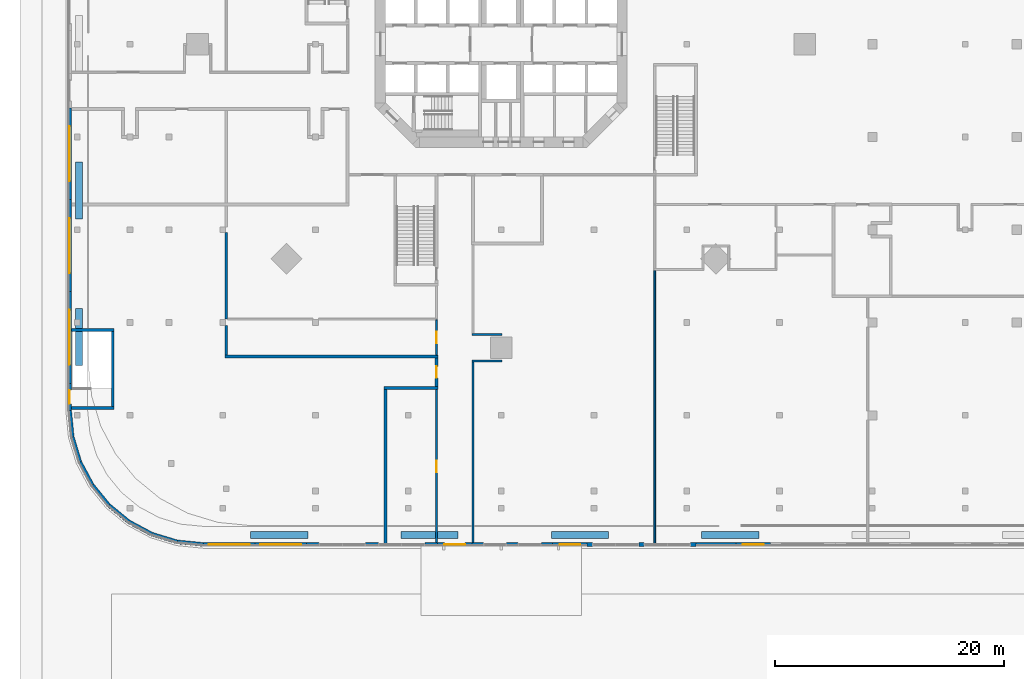
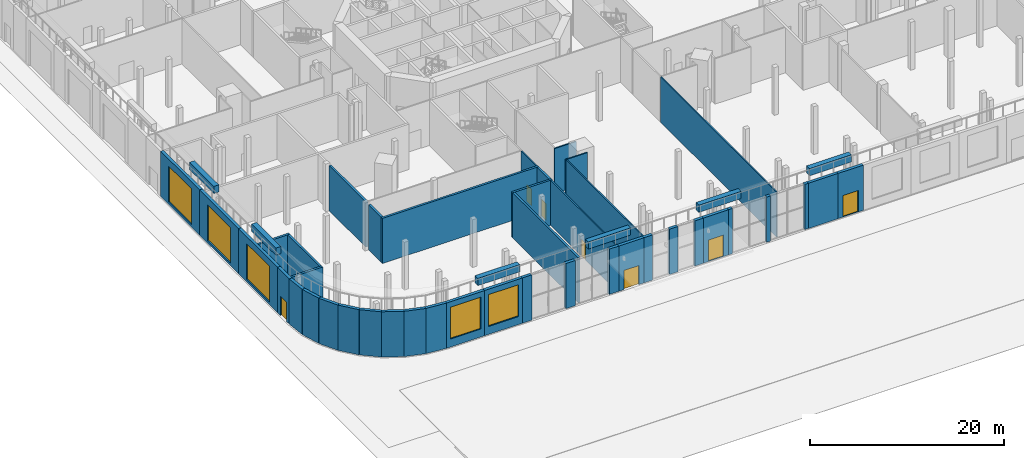
# One storey, part 13 of 32: 48 walls, 7 doors, 5 windows, 12 openings.
"""IFC4 building model written with IfcOpenShell, lengths in metres."""

from ifc_helpers import new_model, si_unit, direction, frame, frame_2d, origin, place, context, subcontext, project, spatial, rectangle, extrude, material, layer, layer_set, type_object, element, fill, save


model = new_model("IFC4")

# Units and contexts
model_context = context("Model", 3, precision=1e-05, world=origin(), true_north=direction((0.0, 1.0)))
body_context = subcontext(model_context, "Body", "Model", "MODEL_VIEW")
ifc_project = project(units=[si_unit("LENGTHUNIT", "METRE"), si_unit("AREAUNIT", "SQUARE_METRE"), si_unit("VOLUMEUNIT", "CUBIC_METRE"), si_unit("PLANEANGLEUNIT", "RADIAN"), si_unit("MASSUNIT", "GRAM", prefix="KILO")], contexts=[model_context])

# Site, building, storey
site_placement = place(None, origin())
site = spatial("IfcSite", under=ifc_project, at=site_placement, CompositionType="ELEMENT")
building_placement = place(site_placement, origin())
building = spatial("IfcBuilding", under=site, at=building_placement, Name="Torre Triforio", CompositionType="ELEMENT")
storey_placement = place(building_placement, origin())
storey = spatial("IfcBuildingStorey", under=building, at=storey_placement, Name="L00", CompositionType="ELEMENT", Elevation=0.0)

# Walls
ifc_material_1 = material(Name="Plasterboard on metal studs")
ifc_layer_1 = layer(ifc_material_1, 0.14990234375)
ifc_layer_set_1 = layer_set([ifc_layer_1], Name="Plasterboard on metal studs")
wall_type_1 = type_object("IfcWallType", Name="Corridor wall 150 EI 60", PredefinedType="PARTITIONING", material=ifc_layer_set_1)
wall_1_placement = place(storey_placement, frame((13.39990234375, -43.574951171875, 0.0), z_axis=(0.0, 0.0, 1.0), x_axis=(0.0, 1.0, 0.0)))
element("IfcWall", 1, at=wall_1_placement, inside=storey, type_object=wall_type_1, Name="Corridor wall L00 172", PredefinedType="PARTITIONING", context=body_context, shape_type="SweptSolid", body=[
    extrude(rectangle(XDim=23.839599609375, YDim=0.14990234375, at=frame_2d((11.919921875, 0.0))), origin(), (0.0, 0.0, 1.0), 5.679931640625),
])
for number, where, z_axis, x_axis, name in (
    (2, (-2.52490234375, -27.64990234375, 0.0), (0.0, 0.0, 1.0), (1.0, 0.0, 0.0), "Corridor wall L00 176"),
    (3, (-2.52490234375, -25.35009765625, 0.0), (0.0, 0.0, 1.0), (1.0, 0.0, 0.0), "Corridor wall L00 177"),
):
    element("IfcWall", number, at=place(storey_placement, frame(where, z_axis=z_axis, x_axis=x_axis)), inside=storey, type_object=wall_type_1, Name=name, PredefinedType="PARTITIONING", context=body_context, shape_type="SweptSolid", body=[
        extrude(rectangle(XDim=2.579833984375, YDim=0.14990234375, at=frame_2d((1.2900390625, 0.0))), origin(), (0.0, 0.0, 1.0), 5.679931640625),
    ])
wall_2_placement = place(storey_placement, frame((-2.449951171875, -43.5, 0.0), z_axis=(0.0, 0.0, 1.0), x_axis=(0.0, 1.0, 0.0)))
element("IfcWall", 4, at=wall_2_placement, inside=storey, type_object=wall_type_1, Name="Corridor wall L00 178", PredefinedType="PARTITIONING", context=body_context, shape_type="SweptSolid", body=[
    extrude(rectangle(XDim=15.77490234375, YDim=0.14990234375, at=frame_2d((7.887451171875, 0.0))), origin(), (0.0, 0.0, 1.0), 5.679931640625),
])
ifc_material_2 = material(Name="Masonry block", Category="masonry")
ifc_layer_2 = layer(ifc_material_2, 0.25)
ifc_layer_set_2 = layer_set([ifc_layer_2], Name="Masonry block")
wall_type_2 = type_object("IfcWallType", Name="Plant room wall 250 EI 120", PredefinedType="PARTITIONING", material=ifc_layer_set_2)
wall_3_placement = place(storey_placement, frame((-24.125, -27.269775390625, 0.0), z_axis=(0.0, 0.0, 1.0), x_axis=(1.0, 0.0, 0.0)))
element("IfcWall", 5, at=wall_3_placement, inside=storey, type_object=wall_type_2, Name="Plant room wall L00 048", PredefinedType="PARTITIONING", context=body_context, shape_type="SweptSolid", body=[
    extrude(rectangle(XDim=18.60009765625, YDim=0.25, at=frame_2d((9.300048828125, 0.0))), origin(), (0.0, 0.0, 1.0), 5.679931640625),
])
wall_4_placement = place(storey_placement, frame((-24.0, -27.144775390625, 0.0), z_axis=(0.0, 0.0, 1.0), x_axis=(0.0, 1.0, 0.0)))
element("IfcWall", 6, at=wall_4_placement, inside=storey, type_object=wall_type_2, Name="Plant room wall L00 049", PredefinedType="PARTITIONING", context=body_context, shape_type="SweptSolid", body=[
    extrude(rectangle(XDim=2.584716796875, YDim=0.25, at=frame_2d((1.29248046875, 0.0))), origin(), (0.0, 0.0, 1.0), 5.679931640625),
])
wall_5_placement = place(storey_placement, frame((-24.0, -24.0, 0.0), z_axis=(0.0, 0.0, 1.0), x_axis=(0.0, 1.0, 0.0)))
element("IfcWall", 7, at=wall_5_placement, inside=storey, type_object=wall_type_2, Name="Plant room wall L00 067", PredefinedType="PARTITIONING", context=body_context, shape_type="SweptSolid", body=[
    extrude(rectangle(XDim=7.5400390625, YDim=0.25, at=frame_2d((3.77001953125, 0.0))), origin(), (0.0, 0.0, 1.0), 5.679931640625),
])
wall_6_placement = place(storey_placement, frame((-10.219482421875, -30.0, 0.0), z_axis=(0.0, 0.0, 1.0), x_axis=(1.0, 0.0, 0.0)))
element("IfcWall", 8, at=wall_6_placement, inside=storey, type_object=wall_type_2, Name="Plant room wall L00 069", PredefinedType="PARTITIONING", context=body_context, shape_type="SweptSolid", body=[
    extrude(rectangle(XDim=4.694580078125, YDim=0.25, at=frame_2d((2.34716796875, 0.0))), origin(), (0.0, 0.0, 1.0), 5.679931640625),
])
wall_7_placement = place(storey_placement, frame((-10.094482421875, -43.574951171875, 0.0), z_axis=(0.0, 0.0, 1.0), x_axis=(0.0, 1.0, 0.0)))
element("IfcWall", 9, at=wall_7_placement, inside=storey, type_object=wall_type_2, Name="Plant room wall L00 070", PredefinedType="PARTITIONING", context=body_context, shape_type="SweptSolid", body=[
    extrude(rectangle(XDim=13.449951171875, YDim=0.25, at=frame_2d((6.72509765625, 0.0))), origin(), (0.0, 0.0, 1.0), 5.679931640625),
])

# Wall, opening, door
wall_8_placement = place(storey_placement, frame((-5.64990234375, -29.875, 0.0), z_axis=(0.0, 0.0, 1.0), x_axis=(0.0, 1.0, 0.0)))
wall_8 = element("IfcWall", 10, at=wall_8_placement, inside=storey, type_object=wall_type_2, Name="Plant room wall L00 071", PredefinedType="PARTITIONING", context=body_context, shape_type="SweptSolid", body=[
    extrude(rectangle(XDim=2.480224609375, YDim=0.25, at=frame_2d((1.240234375, 0.0))), origin(), (0.0, 0.0, 1.0), 5.679931640625),
])
opening_1_placement = place(wall_8_placement, frame((0.75, 0.0, 0.0)))
opening_1 = element("IfcOpeningElement", 11, at=opening_1_placement, cuts=wall_8, Name="Opening P0-27", PredefinedType="OPENING", context=body_context, shape_type="SweptSolid", body=[
    extrude(rectangle(XDim=1.0, YDim=2.10009765625, at=frame_2d((0.5, 1.050048828125))), frame((0.0, 0.135009765625, 0.0), z_axis=(0.0, -1.0, 0.0), x_axis=(1.0, 0.0, 0.0)), (0.0, 0.0, 1.0), 0.27001953125),
])
ifc_material_3 = material(Name="Hollow metal fire door leaf")
door_type_1 = type_object("IfcDoorType", Name="Fire door 1000 x 2100 EI 60", OperationType="NOTDEFINED", PredefinedType="DOOR", material=ifc_material_3)
door_1_placement = place(opening_1_placement, origin())
door_1 = element("IfcDoor", 12, at=door_1_placement, inside=storey, type_object=door_type_1, Name="Door P0-27", OperationType="SINGLE_SWING_LEFT", OverallHeight=2.10009765625, OverallWidth=1.0, PredefinedType="DOOR", context=body_context, shape_type="SweptSolid", body=[
    extrude(rectangle(XDim=1.0, YDim=2.10009765625, at=frame_2d((0.5, 1.050048828125))), frame((0.0, 0.02490234375, 0.0), z_axis=(0.0, -1.0, 0.0), x_axis=(1.0, 0.0, 0.0)), (0.0, 0.0, 1.0), 0.050048828125),
])
fill(opening_1, door_1)

# Walls
ifc_material_4 = material(Name="Concrete C40", Category="concrete")
ifc_layer_3 = layer(ifc_material_4, 0.25)
ifc_layer_set_3 = layer_set([ifc_layer_3], Name="Concrete C40")
wall_type_3 = type_object("IfcWallType", Name="Plant room wall 250 structural EI 120", PredefinedType="STANDARD", material=ifc_layer_set_3)
for number, where, z_axis, x_axis, name in (
    (13, (-37.5, -31.75, 0.0), (0.0, 0.0, 1.0), (1.0, 0.0, 0.0), "Plant room wall L00 017"),
    (14, (-37.5, -24.949951171875, 0.0), (0.0, 0.0, 1.0), (1.0, 0.0, 0.0), "Plant room wall L00 018"),
):
    element("IfcWall", number, at=place(storey_placement, frame(where, z_axis=z_axis, x_axis=x_axis)), inside=storey, type_object=wall_type_3, Name=name, PredefinedType="STANDARD", context=body_context, shape_type="SweptSolid", body=[
        extrude(rectangle(XDim=3.72509765625, YDim=0.25, at=frame_2d((1.862548828125, 0.0))), origin(), (0.0, 0.0, 1.0), 5.679931640625),
    ])
wall_9_placement = place(storey_placement, frame((-33.89990234375, -31.625, 0.0), z_axis=(0.0, 0.0, 1.0), x_axis=(0.0, 1.0, 0.0)))
element("IfcWall", 15, at=wall_9_placement, inside=storey, type_object=wall_type_3, Name="Plant room wall L00 019", PredefinedType="STANDARD", context=body_context, shape_type="SweptSolid", body=[
    extrude(rectangle(XDim=6.550048828125, YDim=0.25, at=frame_2d((3.27490234375, 0.0))), origin(), (0.0, 0.0, 1.0), 5.679931640625),
])

# Wall, opening, window
ifc_material_5 = material(Name="Limestone cladding", Category="masonry")
ifc_layer_4 = layer(ifc_material_5, 0.10009765625)
ifc_layer_5 = layer(ifc_material_4, 0.25)
ifc_layer_set_4 = layer_set([ifc_layer_4, ifc_layer_5], Name="Limestone cladding / Concrete C40")
wall_type_4 = type_object("IfcWallType", Name="Stone-clad podium wall 350", PredefinedType="STANDARD", material=ifc_layer_set_4)
wall_10_placement = place(storey_placement, frame((-37.675048828125, -5.550048828125, 0.0), z_axis=(0.0, 0.0, 1.0), x_axis=(0.0, -1.0, 0.0)))
wall_10 = element("IfcWall", 16, at=wall_10_placement, inside=storey, type_object=wall_type_4, Name="External wall L00 e26.10.w0", PredefinedType="STANDARD", context=body_context, shape_type="SweptSolid", body=[
    extrude(rectangle(XDim=8.0166015625, YDim=0.35009765625, at=frame_2d((4.00830078125, 0.0))), origin(), (0.0, 0.0, 1.0), 5.679931640625),
])
opening_2_placement = place(wall_10_placement, frame((1.6083984375, 0.0, 0.300048828125)))
opening_2 = element("IfcOpeningElement", 17, at=opening_2_placement, cuts=wall_10, Name="Opening P0-W10", PredefinedType="OPENING", context=body_context, shape_type="SweptSolid", body=[
    extrude(rectangle(XDim=4.800048828125, YDim=4.5, at=frame_2d((2.39990234375, 2.25))), frame((0.0, 0.18505859375, 0.0), z_axis=(0.0, -1.0, 0.0), x_axis=(1.0, 0.0, 0.0)), (0.0, 0.0, 1.0), 0.3701171875),
])
ifc_material_6 = material(Name="Aluminium frame with clear laminated glazing", Category="aluminium")
window_type_1 = type_object("IfcWindowType", Name="Shopfront window 4800 x 4500", PartitioningType="DOUBLE_PANEL_VERTICAL", PredefinedType="WINDOW", material=ifc_material_6)
window_1_placement = place(opening_2_placement, origin())
window_1 = element("IfcWindow", 18, at=window_1_placement, inside=storey, type_object=window_type_1, Name="Window L00 e26.10.w0", OverallHeight=4.5, OverallWidth=4.800048828125, PartitioningType="SINGLE_PANEL", PredefinedType="WINDOW", context=body_context, shape_type="SweptSolid", body=[
    extrude(rectangle(XDim=4.800048828125, YDim=4.5, at=frame_2d((2.39990234375, 2.25))), frame((0.0, 0.030029296875, 0.0), z_axis=(0.0, -1.0, 0.0), x_axis=(1.0, 0.0, 0.0)), (0.0, 0.0, 1.0), 0.06005859375),
])
fill(opening_2, window_1)

wall_11_placement = place(storey_placement, frame((-37.675048828125, -13.566650390625, 0.0), z_axis=(0.0, 0.0, 1.0), x_axis=(0.0, -1.0, 0.0)))
wall_11 = element("IfcWall", 19, at=wall_11_placement, inside=storey, type_object=wall_type_4, Name="External wall L00 e26.10.w1", PredefinedType="STANDARD", context=body_context, shape_type="SweptSolid", body=[
    extrude(rectangle(XDim=8.0166015625, YDim=0.35009765625, at=frame_2d((4.00830078125, 0.0))), origin(), (0.0, 0.0, 1.0), 5.679931640625),
])
opening_3_placement = place(wall_11_placement, frame((1.6083984375, 0.0, 0.300048828125)))
opening_3 = element("IfcOpeningElement", 20, at=opening_3_placement, cuts=wall_11, Name="Opening P0-W11", PredefinedType="OPENING", context=body_context, shape_type="SweptSolid", body=[
    extrude(rectangle(XDim=4.800048828125, YDim=4.5, at=frame_2d((2.39990234375, 2.25))), frame((0.0, 0.18505859375, 0.0), z_axis=(0.0, -1.0, 0.0), x_axis=(1.0, 0.0, 0.0)), (0.0, 0.0, 1.0), 0.3701171875),
])
window_2_placement = place(opening_3_placement, origin())
window_2 = element("IfcWindow", 21, at=window_2_placement, inside=storey, type_object=window_type_1, Name="Window L00 e26.10.w1", OverallHeight=4.5, OverallWidth=4.800048828125, PartitioningType="SINGLE_PANEL", PredefinedType="WINDOW", context=body_context, shape_type="SweptSolid", body=[
    extrude(rectangle(XDim=4.800048828125, YDim=4.5, at=frame_2d((2.39990234375, 2.25))), frame((0.0, 0.030029296875, 0.0), z_axis=(0.0, -1.0, 0.0), x_axis=(1.0, 0.0, 0.0)), (0.0, 0.0, 1.0), 0.06005859375),
])
fill(opening_3, window_2)

wall_12_placement = place(storey_placement, frame((-37.675048828125, -21.583251953125, 0.0), z_axis=(0.0, 0.0, 1.0), x_axis=(0.0, -1.0, 0.0)))
wall_12 = element("IfcWall", 22, at=wall_12_placement, inside=storey, type_object=wall_type_4, Name="External wall L00 e26.10.w2", PredefinedType="STANDARD", context=body_context, shape_type="SweptSolid", body=[
    extrude(rectangle(XDim=8.016845703125, YDim=0.35009765625, at=frame_2d((4.00830078125, 0.0))), origin(), (0.0, 0.0, 1.0), 5.679931640625),
])
opening_4_placement = place(wall_12_placement, frame((1.6083984375, 0.0, 0.300048828125)))
opening_4 = element("IfcOpeningElement", 23, at=opening_4_placement, cuts=wall_12, Name="Opening P0-W12", PredefinedType="OPENING", context=body_context, shape_type="SweptSolid", body=[
    extrude(rectangle(XDim=4.800048828125, YDim=4.5, at=frame_2d((2.39990234375, 2.25))), frame((0.0, 0.18505859375, 0.0), z_axis=(0.0, -1.0, 0.0), x_axis=(1.0, 0.0, 0.0)), (0.0, 0.0, 1.0), 0.3701171875),
])
window_3_placement = place(opening_4_placement, origin())
window_3 = element("IfcWindow", 24, at=window_3_placement, inside=storey, type_object=window_type_1, Name="Window L00 e26.10.w2", OverallHeight=4.5, OverallWidth=4.800048828125, PartitioningType="SINGLE_PANEL", PredefinedType="WINDOW", context=body_context, shape_type="SweptSolid", body=[
    extrude(rectangle(XDim=4.800048828125, YDim=4.5, at=frame_2d((2.39990234375, 2.25))), frame((0.0, 0.030029296875, 0.0), z_axis=(0.0, -1.0, 0.0), x_axis=(1.0, 0.0, 0.0)), (0.0, 0.0, 1.0), 0.06005859375),
])
fill(opening_4, window_3)

# Wall, opening, door
wall_13_placement = place(storey_placement, frame((-37.675048828125, -29.60009765625, 0.0), z_axis=(0.0, 0.0, 1.0), x_axis=(0.0, -1.0, 0.0)))
wall_13 = element("IfcWall", 25, at=wall_13_placement, inside=storey, type_object=wall_type_4, Name="External wall L00 e26.11", PredefinedType="STANDARD", context=body_context, shape_type="SweptSolid", body=[
    extrude(rectangle(XDim=2.3837890625, YDim=0.35009765625, at=frame_2d((1.19189453125, 0.0))), origin(), (0.0, 0.0, 1.0), 5.679931640625),
])
opening_5_placement = place(wall_13_placement, frame((0.60009765625, 0.0, 0.0)))
opening_5 = element("IfcOpeningElement", 26, at=opening_5_placement, cuts=wall_13, Name="Opening P0-50", PredefinedType="OPENING", context=body_context, shape_type="SweptSolid", body=[
    extrude(rectangle(XDim=1.199951171875, YDim=2.39990234375, at=frame_2d((0.60009765625, 1.199951171875))), frame((0.0, 0.18505859375, 0.0), z_axis=(0.0, -1.0, 0.0), x_axis=(1.0, 0.0, 0.0)), (0.0, 0.0, 1.0), 0.3701171875),
])
ifc_material_7 = material(Name="Galvanised hollow metal door leaf")
door_type_2 = type_object("IfcDoorType", Name="Exit discharge door 1200 x 2400", OperationType="NOTDEFINED", PredefinedType="DOOR", material=ifc_material_7)
door_2_placement = place(opening_5_placement, frame((1.199951171875, 0.0, 0.0), z_axis=(0.0, 0.0, 1.0), x_axis=(-1.0, 0.0, 0.0)))
door_2 = element("IfcDoor", 27, at=door_2_placement, inside=storey, type_object=door_type_2, Name="Door P0-50", OperationType="SINGLE_SWING_RIGHT", OverallHeight=2.39990234375, OverallWidth=1.199951171875, PredefinedType="DOOR", context=body_context, shape_type="SweptSolid", body=[
    extrude(rectangle(XDim=1.199951171875, YDim=2.39990234375, at=frame_2d((0.60009765625, 1.199951171875))), frame((0.0, 0.02490234375, 0.0), z_axis=(0.0, -1.0, 0.0), x_axis=(1.0, 0.0, 0.0)), (0.0, 0.0, 1.0), 0.050048828125),
])
fill(opening_5, door_2)

# Walls
wall_14_placement = place(storey_placement, frame((-37.675048828125, -31.98388671875, 0.0), z_axis=(0.0, 0.0, 1.0), x_axis=(0.097993192849, -0.995187085002, 0.0)))
element("IfcWall", 28, at=wall_14_placement, inside=storey, type_object=wall_type_4, Name="External wall L00 e27.0.w0", PredefinedType="STANDARD", context=body_context, shape_type="SweptSolid", body=[
    extrude(rectangle(XDim=2.304443359375, YDim=0.35009765625, at=frame_2d((1.15234375, 0.0))), origin(), (0.0, 0.0, 1.0), 5.679931640625),
])
wall_15_placement = place(storey_placement, frame((-37.44921875, -34.27734375, 0.0), z_axis=(0.0, 0.0, 1.0), x_axis=(0.29028274763, -0.956940921075, 0.0)))
element("IfcWall", 29, at=wall_15_placement, inside=storey, type_object=wall_type_4, Name="External wall L00 e28.0.w0", PredefinedType="STANDARD", context=body_context, shape_type="SweptSolid", body=[
    extrude(rectangle(XDim=2.28857421875, YDim=0.35009765625, at=frame_2d((1.144287109375, 0.0))), origin(), (0.0, 0.0, 1.0), 5.679931640625),
])
for number, where, z_axis, x_axis, name in (
    (30, (-36.784912109375, -36.46728515625, 0.0), (0.0, 0.0, 1.0), (0.47145739061, -0.881888841544, 0.0), "External wall L00 e29.0.w0"),
    (31, (-35.7060546875, -38.4853515625, 0.0), (0.0, 0.0, 1.0), (0.634352578082, -0.773043858187, 0.0), "External wall L00 e30.0.w0"),
    (32, (-34.25439453125, -40.25439453125, 0.0), (0.0, 0.0, 1.0), (0.773043858187, -0.634352578082, 0.0), "External wall L00 e31.0.w0"),
    (33, (-32.4853515625, -41.7060546875, 0.0), (0.0, 0.0, 1.0), (0.881888841544, -0.47145739061, 0.0), "External wall L00 e32.0.w0"),
):
    element("IfcWall", number, at=place(storey_placement, frame(where, z_axis=z_axis, x_axis=x_axis)), inside=storey, type_object=wall_type_4, Name=name, PredefinedType="STANDARD", context=body_context, shape_type="SweptSolid", body=[
        extrude(rectangle(XDim=2.288330078125, YDim=0.35009765625, at=frame_2d((1.14404296875, 0.0))), origin(), (0.0, 0.0, 1.0), 5.679931640625),
    ])
wall_16_placement = place(storey_placement, frame((-30.46728515625, -42.784912109375, 0.0), z_axis=(0.0, 0.0, 1.0), x_axis=(0.956940921075, -0.29028274763, 0.0)))
element("IfcWall", 34, at=wall_16_placement, inside=storey, type_object=wall_type_4, Name="External wall L00 e33.0.w0", PredefinedType="STANDARD", context=body_context, shape_type="SweptSolid", body=[
    extrude(rectangle(XDim=2.28857421875, YDim=0.35009765625, at=frame_2d((1.144287109375, 0.0))), origin(), (0.0, 0.0, 1.0), 5.679931640625),
])
wall_17_placement = place(storey_placement, frame((-28.27734375, -43.44921875, 0.0), z_axis=(0.0, 0.0, 1.0), x_axis=(0.995187085002, -0.097993192849, 0.0)))
element("IfcWall", 35, at=wall_17_placement, inside=storey, type_object=wall_type_4, Name="External wall L00 e34.0.w0", PredefinedType="STANDARD", context=body_context, shape_type="SweptSolid", body=[
    extrude(rectangle(XDim=2.304443359375, YDim=0.35009765625, at=frame_2d((1.15234375, 0.0))), origin(), (0.0, 0.0, 1.0), 5.679931640625),
])

# Wall, opening, window
wall_18_placement = place(storey_placement, frame((-25.98388671875, -43.675048828125, 0.0), z_axis=(0.0, 0.0, 1.0), x_axis=(1.0, 0.0, 0.0)))
wall_18 = element("IfcWall", 36, at=wall_18_placement, inside=storey, type_object=wall_type_4, Name="External wall L00 e35.0.0.w0", PredefinedType="STANDARD", context=body_context, shape_type="SweptSolid", body=[
    extrude(rectangle(XDim=4.491943359375, YDim=0.35009765625, at=frame_2d((2.24609375, 0.0))), origin(), (0.0, 0.0, 1.0), 5.679931640625),
])
opening_6_placement = place(wall_18_placement, frame((0.446044921875, 0.0, 1.0)))
opening_6 = element("IfcOpeningElement", 37, at=opening_6_placement, cuts=wall_18, Name="Opening P0-W13", PredefinedType="OPENING", context=body_context, shape_type="SweptSolid", body=[
    extrude(rectangle(XDim=3.60009765625, YDim=4.0, at=frame_2d((1.800048828125, 2.0))), frame((0.0, 0.18505859375, 0.0), z_axis=(0.0, -1.0, 0.0), x_axis=(1.0, 0.0, 0.0)), (0.0, 0.0, 1.0), 0.3701171875),
])
ifc_material_8 = material(Name="Aluminium frame with clear double glazing", Category="aluminium")
window_type_2 = type_object("IfcWindowType", Name="Podium window 3600 x 4000", PartitioningType="DOUBLE_PANEL_VERTICAL", PredefinedType="WINDOW", material=ifc_material_8)
window_4_placement = place(opening_6_placement, origin())
window_4 = element("IfcWindow", 38, at=window_4_placement, inside=storey, type_object=window_type_2, Name="Window L00 e35.0.0.w0", OverallHeight=4.0, OverallWidth=3.60009765625, PartitioningType="SINGLE_PANEL", PredefinedType="WINDOW", context=body_context, shape_type="SweptSolid", body=[
    extrude(rectangle(XDim=3.60009765625, YDim=4.0, at=frame_2d((1.800048828125, 2.0))), frame((0.0, 0.030029296875, 0.0), z_axis=(0.0, -1.0, 0.0), x_axis=(1.0, 0.0, 0.0)), (0.0, 0.0, 1.0), 0.06005859375),
])
fill(opening_6, window_4)

wall_19_placement = place(storey_placement, frame((-21.491943359375, -43.675048828125, 0.0), z_axis=(0.0, 0.0, 1.0), x_axis=(1.0, 0.0, 0.0)))
wall_19 = element("IfcWall", 39, at=wall_19_placement, inside=storey, type_object=wall_type_4, Name="External wall L00 e35.0.0.w1", PredefinedType="STANDARD", context=body_context, shape_type="SweptSolid", body=[
    extrude(rectangle(XDim=4.491943359375, YDim=0.35009765625, at=frame_2d((2.24609375, 0.0))), origin(), (0.0, 0.0, 1.0), 5.679931640625),
])
opening_7_placement = place(wall_19_placement, frame((0.446044921875, 0.0, 1.0)))
opening_7 = element("IfcOpeningElement", 40, at=opening_7_placement, cuts=wall_19, Name="Opening P0-W14", PredefinedType="OPENING", context=body_context, shape_type="SweptSolid", body=[
    extrude(rectangle(XDim=3.60009765625, YDim=4.0, at=frame_2d((1.800048828125, 2.0))), frame((0.0, 0.18505859375, 0.0), z_axis=(0.0, -1.0, 0.0), x_axis=(1.0, 0.0, 0.0)), (0.0, 0.0, 1.0), 0.3701171875),
])
window_5_placement = place(opening_7_placement, origin())
window_5 = element("IfcWindow", 41, at=window_5_placement, inside=storey, type_object=window_type_2, Name="Window L00 e35.0.0.w1", OverallHeight=4.0, OverallWidth=3.60009765625, PartitioningType="SINGLE_PANEL", PredefinedType="WINDOW", context=body_context, shape_type="SweptSolid", body=[
    extrude(rectangle(XDim=3.60009765625, YDim=4.0, at=frame_2d((1.800048828125, 2.0))), frame((0.0, 0.030029296875, 0.0), z_axis=(0.0, -1.0, 0.0), x_axis=(1.0, 0.0, 0.0)), (0.0, 0.0, 1.0), 0.06005859375),
])
fill(opening_7, window_5)

# Walls
wall_20_placement = place(storey_placement, frame((-17.0, -43.675048828125, 0.0), z_axis=(0.0, 0.0, 1.0), x_axis=(1.0, 0.0, 0.0)))
element("IfcWall", 42, at=wall_20_placement, inside=storey, type_object=wall_type_4, Name="External wall L00 e35.0.1.g0", PredefinedType="STANDARD", context=body_context, shape_type="SweptSolid", body=[
    extrude(rectangle(XDim=1.11669921875, YDim=0.35009765625, at=frame_2d((0.558349609375, 0.0))), origin(), (0.0, 0.0, 1.0), 5.679931640625),
])
wall_21_placement = place(storey_placement, frame((-11.833251953125, -43.675048828125, 0.0), z_axis=(0.0, 0.0, 1.0), x_axis=(1.0, 0.0, 0.0)))
element("IfcWall", 43, at=wall_21_placement, inside=storey, type_object=wall_type_4, Name="External wall L00 e35.0.1.g1", PredefinedType="STANDARD", context=body_context, shape_type="SweptSolid", body=[
    extrude(rectangle(XDim=1.116455078125, YDim=0.35009765625, at=frame_2d((0.55810546875, 0.0))), origin(), (0.0, 0.0, 1.0), 5.679931640625),
])
wall_22_placement = place(storey_placement, frame((-6.666748046875, -43.675048828125, 0.0), z_axis=(0.0, 0.0, 1.0), x_axis=(1.0, 0.0, 0.0)))
element("IfcWall", 44, at=wall_22_placement, inside=storey, type_object=wall_type_4, Name="External wall L00 e35.0.1.g2", PredefinedType="STANDARD", context=body_context, shape_type="SweptSolid", body=[
    extrude(rectangle(XDim=1.11669921875, YDim=0.35009765625, at=frame_2d((0.558349609375, 0.0))), origin(), (0.0, 0.0, 1.0), 5.679931640625),
])

# Wall, opening, door
wall_23_placement = place(storey_placement, frame((-5.550048828125, -43.675048828125, 0.0), z_axis=(0.0, 0.0, 1.0), x_axis=(1.0, 0.0, 0.0)))
wall_23 = element("IfcWall", 45, at=wall_23_placement, inside=storey, type_object=wall_type_4, Name="External wall L00 e35.1", PredefinedType="STANDARD", context=body_context, shape_type="SweptSolid", body=[
    extrude(rectangle(XDim=3.0, YDim=0.35009765625, at=frame_2d((1.5, 0.0))), origin(), (0.0, 0.0, 1.0), 5.679931640625),
])
opening_8_placement = place(wall_23_placement, frame((0.60009765625, 0.0, 0.0)))
opening_8 = element("IfcOpeningElement", 46, at=opening_8_placement, cuts=wall_23, Name="Opening P0-44", PredefinedType="OPENING", context=body_context, shape_type="SweptSolid", body=[
    extrude(rectangle(XDim=1.800048828125, YDim=2.39990234375, at=frame_2d((0.89990234375, 1.199951171875))), frame((0.0, 0.18505859375, 0.0), z_axis=(0.0, -1.0, 0.0), x_axis=(1.0, 0.0, 0.0)), (0.0, 0.0, 1.0), 0.3701171875),
])
ifc_material_9 = material(Name="Timber door leaf", Category="wood")
door_type_3 = type_object("IfcDoorType", Name="Drop-off entrance door 1800 x 2400", OperationType="NOTDEFINED", PredefinedType="DOOR", material=ifc_material_9)
door_3_placement = place(opening_8_placement, frame((1.800048828125, 0.0, 0.0), z_axis=(0.0, 0.0, 1.0), x_axis=(-1.0, 0.0, 0.0)))
door_3 = element("IfcDoor", 47, at=door_3_placement, inside=storey, type_object=door_type_3, Name="Door P0-44", OperationType="SINGLE_SWING_RIGHT", OverallHeight=2.39990234375, OverallWidth=1.800048828125, PredefinedType="DOOR", context=body_context, shape_type="SweptSolid", body=[
    extrude(rectangle(XDim=1.800048828125, YDim=2.39990234375, at=frame_2d((0.89990234375, 1.199951171875))), frame((0.0, 0.02490234375, 0.0), z_axis=(0.0, -1.0, 0.0), x_axis=(1.0, 0.0, 0.0)), (0.0, 0.0, 1.0), 0.050048828125),
])
fill(opening_8, door_3)

# Walls
for number, where, z_axis, x_axis, name in (
    (48, (-2.550048828125, -43.675048828125, 0.0), (0.0, 0.0, 1.0), (1.0, 0.0, 0.0), "External wall L00 e35.2.g0"),
    (49, (0.47509765625, -43.675048828125, 0.0), (0.0, 0.0, 1.0), (1.0, 0.0, 0.0), "External wall L00 e35.2.g1"),
    (50, (3.5, -43.675048828125, 0.0), (0.0, 0.0, 1.0), (1.0, 0.0, 0.0), "External wall L00 e35.2.g2"),
):
    element("IfcWall", number, at=place(storey_placement, frame(where, z_axis=z_axis, x_axis=x_axis)), inside=storey, type_object=wall_type_4, Name=name, PredefinedType="STANDARD", context=body_context, shape_type="SweptSolid", body=[
        extrude(rectangle(XDim=1.0, YDim=0.35009765625, at=frame_2d((0.5, 0.0))), origin(), (0.0, 0.0, 1.0), 5.679931640625),
    ])

# Wall, opening, door
wall_24_placement = place(storey_placement, frame((4.5, -43.675048828125, 0.0), z_axis=(0.0, 0.0, 1.0), x_axis=(1.0, 0.0, 0.0)))
wall_24 = element("IfcWall", 51, at=wall_24_placement, inside=storey, type_object=wall_type_4, Name="External wall L00 e35.3", PredefinedType="STANDARD", context=body_context, shape_type="SweptSolid", body=[
    extrude(rectangle(XDim=3.0, YDim=0.35009765625, at=frame_2d((1.5, 0.0))), origin(), (0.0, 0.0, 1.0), 5.679931640625),
])
opening_9_placement = place(wall_24_placement, frame((0.60009765625, 0.0, 0.0)))
opening_9 = element("IfcOpeningElement", 52, at=opening_9_placement, cuts=wall_24, Name="Opening P0-49", PredefinedType="OPENING", context=body_context, shape_type="SweptSolid", body=[
    extrude(rectangle(XDim=1.800048828125, YDim=2.699951171875, at=frame_2d((0.89990234375, 1.35009765625))), frame((0.0, 0.18505859375, 0.0), z_axis=(0.0, -1.0, 0.0), x_axis=(1.0, 0.0, 0.0)), (0.0, 0.0, 1.0), 0.3701171875),
])
ifc_material_10 = material(Name="Glazed aluminium door", Category="aluminium")
door_type_4 = type_object("IfcDoorType", Name="Shopfront double door 1800 x 2700", OperationType="NOTDEFINED", PredefinedType="DOOR", material=ifc_material_10)
door_4_placement = place(opening_9_placement, frame((1.800048828125, 0.0, 0.0), z_axis=(0.0, 0.0, 1.0), x_axis=(-1.0, 0.0, 0.0)))
door_4 = element("IfcDoor", 53, at=door_4_placement, inside=storey, type_object=door_type_4, Name="Door P0-49", OperationType="SINGLE_SWING_RIGHT", OverallHeight=2.699951171875, OverallWidth=1.800048828125, PredefinedType="DOOR", context=body_context, shape_type="SweptSolid", body=[
    extrude(rectangle(XDim=1.800048828125, YDim=2.699951171875, at=frame_2d((0.89990234375, 1.35009765625))), frame((0.0, 0.02490234375, 0.0), z_axis=(0.0, -1.0, 0.0), x_axis=(1.0, 0.0, 0.0)), (0.0, 0.0, 1.0), 0.050048828125),
])
fill(opening_9, door_4)

# Walls
for number, where, z_axis, x_axis, name in (
    (54, (7.5, -43.675048828125, 0.0), (0.0, 0.0, 1.0), (1.0, 0.0, 0.0), "External wall L00 e35.4.0.g0"),
    (55, (12.0166015625, -43.675048828125, 0.0), (0.0, 0.0, 1.0), (1.0, 0.0, 0.0), "External wall L00 e35.4.0.g1"),
    (56, (16.533203125, -43.675048828125, 0.0), (0.0, 0.0, 1.0), (1.0, 0.0, 0.0), "External wall L00 e35.4.0.g2"),
):
    element("IfcWall", number, at=place(storey_placement, frame(where, z_axis=z_axis, x_axis=x_axis)), inside=storey, type_object=wall_type_4, Name=name, PredefinedType="STANDARD", context=body_context, shape_type="SweptSolid", body=[
        extrude(rectangle(XDim=0.466796875, YDim=0.35009765625, at=frame_2d((0.2333984375, 0.0))), origin(), (0.0, 0.0, 1.0), 5.679931640625),
    ])
wall_25_placement = place(storey_placement, frame((17.0, -43.675048828125, 0.0), z_axis=(0.0, 0.0, 1.0), x_axis=(1.0, 0.0, 0.0)))
element("IfcWall", 57, at=wall_25_placement, inside=storey, type_object=wall_type_4, Name="External wall L00 e35.4.1.w0", PredefinedType="STANDARD", context=body_context, shape_type="SweptSolid", body=[
    extrude(rectangle(XDim=3.5, YDim=0.35009765625, at=frame_2d((1.75, 0.0))), origin(), (0.0, 0.0, 1.0), 5.679931640625),
])

# Wall, opening, door
wall_26_placement = place(storey_placement, frame((20.5, -43.675048828125, 0.0), z_axis=(0.0, 0.0, 1.0), x_axis=(1.0, 0.0, 0.0)))
wall_26 = element("IfcWall", 58, at=wall_26_placement, inside=storey, type_object=wall_type_4, Name="External wall L00 e35.5", PredefinedType="STANDARD", context=body_context, shape_type="SweptSolid", body=[
    extrude(rectangle(XDim=3.0, YDim=0.35009765625, at=frame_2d((1.5, 0.0))), origin(), (0.0, 0.0, 1.0), 5.679931640625),
])
opening_10_placement = place(wall_26_placement, frame((0.60009765625, 0.0, 0.0)))
opening_10 = element("IfcOpeningElement", 59, at=opening_10_placement, cuts=wall_26, Name="Opening P0-47", PredefinedType="OPENING", context=body_context, shape_type="SweptSolid", body=[
    extrude(rectangle(XDim=1.800048828125, YDim=2.699951171875, at=frame_2d((0.89990234375, 1.35009765625))), frame((0.0, 0.18505859375, 0.0), z_axis=(0.0, -1.0, 0.0), x_axis=(1.0, 0.0, 0.0)), (0.0, 0.0, 1.0), 0.3701171875),
])
door_5_placement = place(opening_10_placement, frame((1.800048828125, 0.0, 0.0), z_axis=(0.0, 0.0, 1.0), x_axis=(-1.0, 0.0, 0.0)))
door_5 = element("IfcDoor", 60, at=door_5_placement, inside=storey, type_object=door_type_4, Name="Door P0-47", OperationType="SINGLE_SWING_RIGHT", OverallHeight=2.699951171875, OverallWidth=1.800048828125, PredefinedType="DOOR", context=body_context, shape_type="SweptSolid", body=[
    extrude(rectangle(XDim=1.800048828125, YDim=2.699951171875, at=frame_2d((0.89990234375, 1.35009765625))), frame((0.0, 0.02490234375, 0.0), z_axis=(0.0, -1.0, 0.0), x_axis=(1.0, 0.0, 0.0)), (0.0, 0.0, 1.0), 0.050048828125),
])
fill(opening_10, door_5)

# Walls
ifc_layer_6 = layer(ifc_material_5, 0.10009765625)
ifc_layer_7 = layer(ifc_material_4, 0.5)
ifc_layer_set_5 = layer_set([ifc_layer_6, ifc_layer_7], Name="Limestone cladding / Concrete C40")
wall_type_5 = type_object("IfcWallType", Name="Terrace planter wall 600", PredefinedType="PARAPET", material=ifc_layer_set_5)
for number, where, z_axis, x_axis, name in (
    (61, (-36.85009765625, -10.27734375, 6.0), (0.0, 0.0, 1.0), (0.0, -1.0, 0.0), "Terrace T1 planter 27.4"),
    (62, (-36.85009765625, -23.0546875, 6.0), (0.0, 0.0, 1.0), (0.0, -1.0, 0.0), "Terrace T1 planter 27.5"),
    (63, (-21.880126953125, -42.85009765625, 6.0), (0.0, 0.0, 1.0), (1.0, 0.0, 0.0), "Terrace T1 planter 36.1"),
    (64, (-8.75341796875, -42.85009765625, 6.0), (0.0, 0.0, 1.0), (1.0, 0.0, 0.0), "Terrace T1 planter 36.2"),
    (65, (4.373291015625, -42.85009765625, 6.0), (0.0, 0.0, 1.0), (1.0, 0.0, 0.0), "Terrace T1 planter 36.3"),
    (66, (17.5, -42.85009765625, 6.0), (0.0, 0.0, 1.0), (1.0, 0.0, 0.0), "Terrace T1 planter 36.4"),
):
    element("IfcWall", number, at=place(storey_placement, frame(where, z_axis=z_axis, x_axis=x_axis)), inside=storey, type_object=wall_type_5, Name=name, PredefinedType="PARAPET", context=body_context, shape_type="SweptSolid", body=[
        extrude(rectangle(XDim=5.0, YDim=0.60009765625, at=frame_2d((2.5, 0.0))), origin(), (0.0, 0.0, 1.0), 0.89990234375),
    ])

# Wall, opening, door
ifc_layer_8 = layer(ifc_material_1, 0.14990234375)
ifc_layer_set_6 = layer_set([ifc_layer_8], Name="Plasterboard on metal studs")
wall_type_6 = type_object("IfcWallType", Name="Wet room wall 150", PredefinedType="PARTITIONING", material=ifc_layer_set_6)
wall_27_placement = place(storey_placement, frame((-5.64990234375, -27.144775390625, 0.0), z_axis=(0.0, 0.0, 1.0), x_axis=(0.0, 1.0, 0.0)))
wall_27 = element("IfcWall", 67, at=wall_27_placement, inside=storey, type_object=wall_type_6, Name="Wet room wall L00 052", PredefinedType="PARTITIONING", context=body_context, shape_type="SweptSolid", body=[
    extrude(rectangle(XDim=3.06982421875, YDim=0.14990234375, at=frame_2d((1.534912109375, 0.0))), origin(), (0.0, 0.0, 1.0), 5.679931640625),
])
opening_11_placement = place(wall_27_placement, frame((1.050048828125, 0.0, 0.0)))
opening_11 = element("IfcOpeningElement", 68, at=opening_11_placement, cuts=wall_27, Name="Opening P0-26", PredefinedType="OPENING", context=body_context, shape_type="SweptSolid", body=[
    extrude(rectangle(XDim=1.0, YDim=2.10009765625, at=frame_2d((0.5, 1.050048828125))), frame((0.0, 0.0849609375, 0.0), z_axis=(0.0, -1.0, 0.0), x_axis=(1.0, 0.0, 0.0)), (0.0, 0.0, 1.0), 0.169921875),
])
door_type_5 = type_object("IfcDoorType", Name="Single door 1000 x 2100", OperationType="NOTDEFINED", PredefinedType="DOOR", material=ifc_material_9)
door_6_placement = place(opening_11_placement, origin())
door_6 = element("IfcDoor", 69, at=door_6_placement, inside=storey, type_object=door_type_5, Name="Door P0-26", OperationType="SINGLE_SWING_LEFT", OverallHeight=2.10009765625, OverallWidth=1.0, PredefinedType="DOOR", context=body_context, shape_type="SweptSolid", body=[
    extrude(rectangle(XDim=1.0, YDim=2.10009765625, at=frame_2d((0.5, 1.050048828125))), frame((0.0, 0.02490234375, 0.0), z_axis=(0.0, -1.0, 0.0), x_axis=(1.0, 0.0, 0.0)), (0.0, 0.0, 1.0), 0.050048828125),
])
fill(opening_11, door_6)

wall_28_placement = place(storey_placement, frame((-5.64990234375, -43.5, 0.0), z_axis=(0.0, 0.0, 1.0), x_axis=(0.0, 1.0, 0.0)))
wall_28 = element("IfcWall", 70, at=wall_28_placement, inside=storey, type_object=wall_type_6, Name="Wet room wall L00 180", PredefinedType="PARTITIONING", context=body_context, shape_type="SweptSolid", body=[
    extrude(rectangle(XDim=13.375, YDim=0.14990234375, at=frame_2d((6.6875, 0.0))), origin(), (0.0, 0.0, 1.0), 5.679931640625),
])
opening_12_placement = place(wall_28_placement, frame((6.14990234375, 0.0, 0.0)))
opening_12 = element("IfcOpeningElement", 71, at=opening_12_placement, cuts=wall_28, Name="Opening P0-28", PredefinedType="OPENING", context=body_context, shape_type="SweptSolid", body=[
    extrude(rectangle(XDim=1.0, YDim=2.10009765625, at=frame_2d((0.5, 1.050048828125))), frame((0.0, 0.0849609375, 0.0), z_axis=(0.0, -1.0, 0.0), x_axis=(1.0, 0.0, 0.0)), (0.0, 0.0, 1.0), 0.169921875),
])
door_7_placement = place(opening_12_placement, origin())
door_7 = element("IfcDoor", 72, at=door_7_placement, inside=storey, type_object=door_type_5, Name="Door P0-28", OperationType="SINGLE_SWING_LEFT", OverallHeight=2.10009765625, OverallWidth=1.0, PredefinedType="DOOR", context=body_context, shape_type="SweptSolid", body=[
    extrude(rectangle(XDim=1.0, YDim=2.10009765625, at=frame_2d((0.5, 1.050048828125))), frame((0.0, 0.02490234375, 0.0), z_axis=(0.0, -1.0, 0.0), x_axis=(1.0, 0.0, 0.0)), (0.0, 0.0, 1.0), 0.050048828125),
])
fill(opening_12, door_7)

save(model, "model.ifc")
